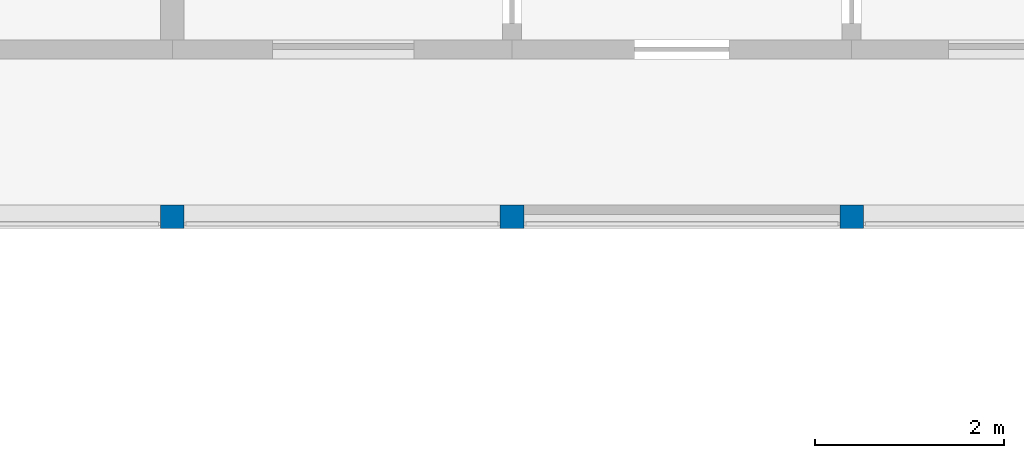
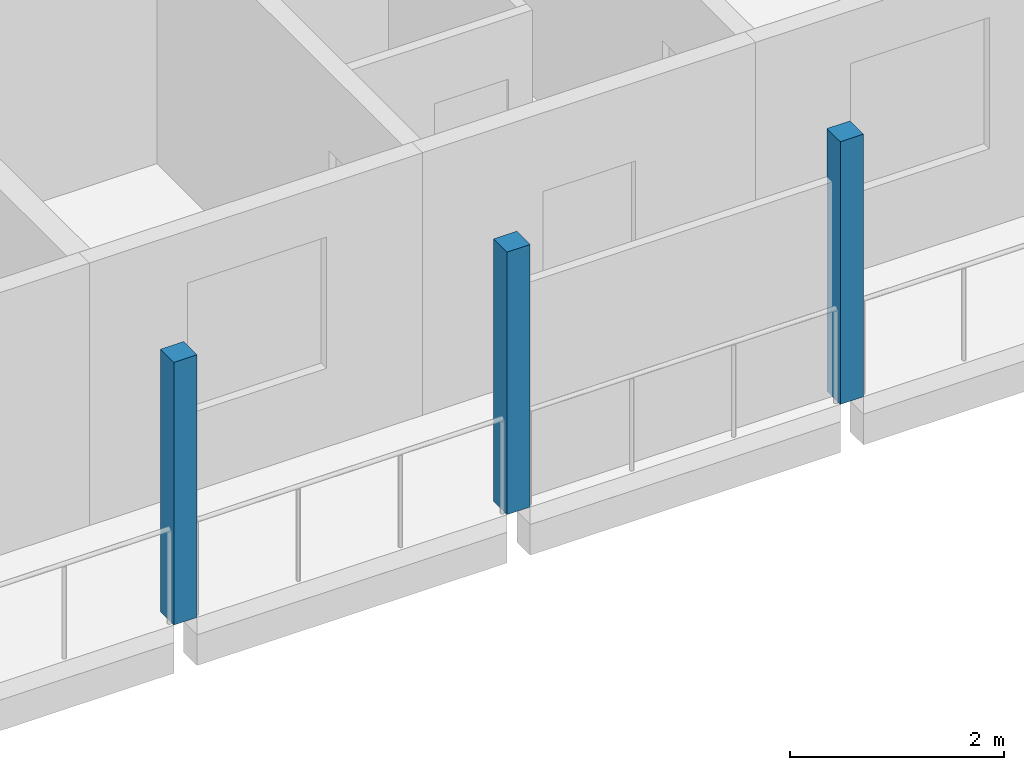
# One storey, part 9 of 115: 3 columns.
"""IFC4 building model written with IfcOpenShell, lengths in metres."""

from ifc_helpers import new_model, si_unit, direction, frame, origin, origin_2d, place, context, subcontext, project, spatial, rectangle, extrude, material, material_profile, profile_set, type_object, element, save


model = new_model("IFC4")

# Units and contexts
model_context = context("Model", 3, precision=1e-05, world=origin(), true_north=direction((0.0, 1.0)))
body_context = subcontext(model_context, "Body", "Model", "MODEL_VIEW")
ifc_project = project(units=[si_unit("LENGTHUNIT", "METRE"), si_unit("AREAUNIT", "SQUARE_METRE"), si_unit("VOLUMEUNIT", "CUBIC_METRE"), si_unit("PLANEANGLEUNIT", "RADIAN"), si_unit("MASSUNIT", "GRAM", prefix="KILO")], contexts=[model_context])

# Site, building, storey
site_placement = place(None, origin())
site = spatial("IfcSite", under=ifc_project, at=site_placement, CompositionType="ELEMENT")
building_placement = place(site_placement, origin())
building = spatial("IfcBuilding", under=site, at=building_placement, Name="Ridgestep Commons", CompositionType="ELEMENT")
storey_placement = place(building_placement, frame((0.0, 0.0, 6.0)))
storey = spatial("IfcBuildingStorey", under=building, at=storey_placement, Name="L02", CompositionType="ELEMENT", Elevation=6.0)

# Columns
ifc_material = material(Name="Precast concrete C40/50", Category="concrete")
ifc_material_profile = material_profile(ifc_material, rectangle(XDim=0.25, YDim=0.25, at=origin_2d()), Name="PC 250x250")
ifc_profile_set = profile_set([ifc_material_profile], Name="Precast concrete C40/50")
column_type = type_object("IfcColumnType", Name="Loggia column 250 x 250", PredefinedType="COLUMN", material=ifc_profile_set)
for number, where, z_axis, x_axis, name in (
    (1, (236.800048828125, 66.125, 0.0), (0.0, 0.0, 1.0), (1.0, 0.0, 0.0), "Loggia column C L02"),
    (2, (240.39990234375, 66.125, 0.0), (0.0, 0.0, 1.0), (1.0, 0.0, 0.0), "Loggia column C L02"),
    (3, (244.0, 66.125, 0.0), (0.0, 0.0, 1.0), (1.0, 0.0, 0.0), "Loggia column C L02"),
):
    element("IfcColumn", number, at=place(storey_placement, frame(where, z_axis=z_axis, x_axis=x_axis)), inside=storey, type_object=column_type, Name=name, PredefinedType="COLUMN", context=body_context, shape_type="SweptSolid", body=[
        extrude(rectangle(XDim=0.25, YDim=0.25, at=origin_2d()), origin(), (0.0, 0.0, 1.0), 3.0),
    ])

save(model, "model.ifc")
